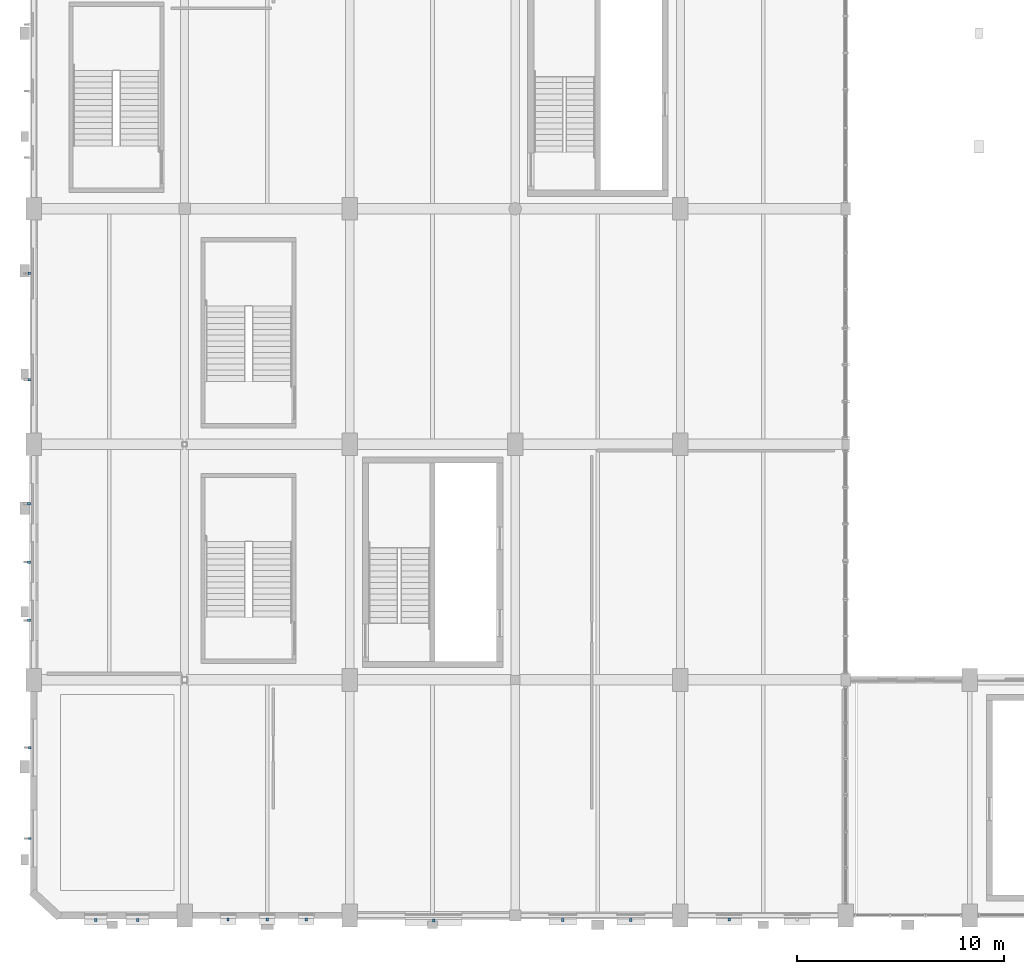
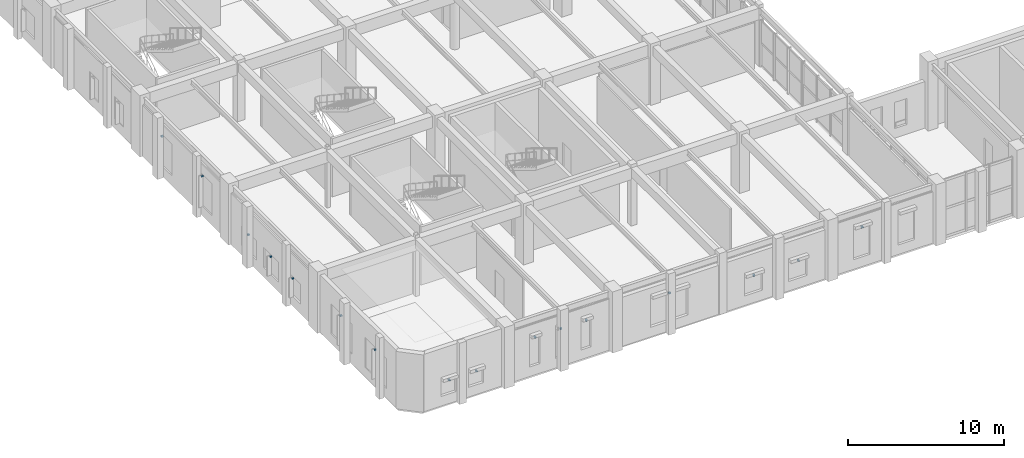
# One storey, part 91 of 106: 16 discrete accessories.
"""IFC4 building model written with IfcOpenShell, lengths in metres."""

from ifc_helpers import new_model, si_unit, direction, frame, origin, origin_2d, place, context, subcontext, project, spatial, rectangle, extrude, material, type_object, element, save


model = new_model("IFC4")

# Units and contexts
model_context = context("Model", 3, precision=1e-05, world=origin(), true_north=direction((0.0, 1.0)))
body_context = subcontext(model_context, "Body", "Model", "MODEL_VIEW")
ifc_project = project(units=[si_unit("LENGTHUNIT", "METRE"), si_unit("AREAUNIT", "SQUARE_METRE"), si_unit("VOLUMEUNIT", "CUBIC_METRE"), si_unit("PLANEANGLEUNIT", "RADIAN"), si_unit("MASSUNIT", "GRAM", prefix="KILO"), si_unit("POWERUNIT", "WATT"), si_unit("THERMODYNAMICTEMPERATUREUNIT", "KELVIN")], contexts=[model_context])

# Site, building, storey
site_placement = place(None, origin())
site = spatial("IfcSite", under=ifc_project, at=site_placement, CompositionType="ELEMENT")
building_placement = place(site_placement, origin())
building = spatial("IfcBuilding", under=site, at=building_placement, Name="Kelmbourne Parkland Aquatics Centre", CompositionType="ELEMENT")
storey_placement = place(building_placement, frame((0.0, 0.0, 5.39990234375)))
storey = spatial("IfcBuildingStorey", under=building, at=storey_placement, Name="L01", CompositionType="ELEMENT", Elevation=5.39990234375)

# Discrete accessories
ifc_material = material(Name="Hot-dip galvanised structural steel AS/NZS 4680", Category="steel")
discrete_accessory_type = type_object("IfcDiscreteAccessoryType", Name="ACC-BRK-1", PredefinedType="BRACKET", material=ifc_material)
for number, where, z_axis, x_axis, name in (
    (1, (0.5048828125, 4.52490234375, 2.93994140625), (0.0, 0.0, 1.0), (0.0, 1.0, 0.0), "Galvanised sunshade fixing bracket 073"),
    (2, (0.5048828125, 8.923095703125, 2.93994140625), (0.0, 0.0, 1.0), (0.0, 1.0, 0.0), "Galvanised sunshade fixing bracket 074"),
    (3, (0.465087890625, 15.076904296875, 2.14013671875), (0.0, 0.0, 1.0), (0.0, 1.0, 0.0), "Galvanised sunshade fixing bracket 075"),
    (4, (0.465087890625, 17.89990234375, 2.14013671875), (0.0, 0.0, 1.0), (0.0, 1.0, 0.0), "Galvanised sunshade fixing bracket 076"),
    (5, (0.465087890625, 20.722900390625, 2.14013671875), (0.0, 0.0, 1.0), (0.0, 1.0, 0.0), "Galvanised sunshade fixing bracket 077"),
    (6, (0.485107421875, 26.72705078125, 3.090087890625), (0.0, 0.0, 1.0), (0.0, 1.0, 0.0), "Galvanised sunshade fixing bracket 078"),
    (7, (0.485107421875, 31.873046875, 3.090087890625), (0.0, 0.0, 1.0), (0.0, 1.0, 0.0), "Galvanised sunshade fixing bracket 079"),
    (8, (3.699951171875, 0.5849609375, 1.840087890625), (0.0, 0.0, 1.0), (1.0, 0.0, 0.0), "Galvanised sunshade fixing bracket 094"),
    (9, (5.722900390625, 0.5849609375, 1.840087890625), (0.0, 0.0, 1.0), (1.0, 0.0, 0.0), "Galvanised sunshade fixing bracket 095"),
    (10, (10.10205078125, 0.60498046875, 2.93994140625), (0.0, 0.0, 1.0), (1.0, 0.0, 0.0), "Galvanised sunshade fixing bracket 096"),
    (11, (12.0, 0.60498046875, 2.93994140625), (0.0, 0.0, 1.0), (1.0, 0.0, 0.0), "Galvanised sunshade fixing bracket 097"),
    (12, (13.89794921875, 0.60498046875, 2.93994140625), (0.0, 0.0, 1.0), (1.0, 0.0, 0.0), "Galvanised sunshade fixing bracket 098"),
    (13, (20.050048828125, 0.56494140625, 2.93994140625), (0.0, 0.0, 1.0), (1.0, 0.0, 0.0), "Galvanised sunshade fixing bracket 099"),
    (14, (26.302001953125, 0.5849609375, 2.14013671875), (0.0, 0.0, 1.0), (1.0, 0.0, 0.0), "Galvanised sunshade fixing bracket 100"),
    (15, (29.597900390625, 0.5849609375, 2.14013671875), (0.0, 0.0, 1.0), (1.0, 0.0, 0.0), "Galvanised sunshade fixing bracket 101"),
    (16, (34.35205078125, 0.60498046875, 3.090087890625), (0.0, 0.0, 1.0), (1.0, 0.0, 0.0), "Galvanised sunshade fixing bracket 102"),
):
    element("IfcDiscreteAccessory", number, at=place(storey_placement, frame(where, z_axis=z_axis, x_axis=x_axis)), inside=storey, type_object=discrete_accessory_type, Name=name, PredefinedType="BRACKET", context=body_context, shape_type="SweptSolid", body=[
        extrude(rectangle(XDim=0.1201171875, YDim=0.139892578125, at=origin_2d()), origin(), (0.0, 0.0, 1.0), 0.1201171875),
    ])

save(model, "model.ifc")
